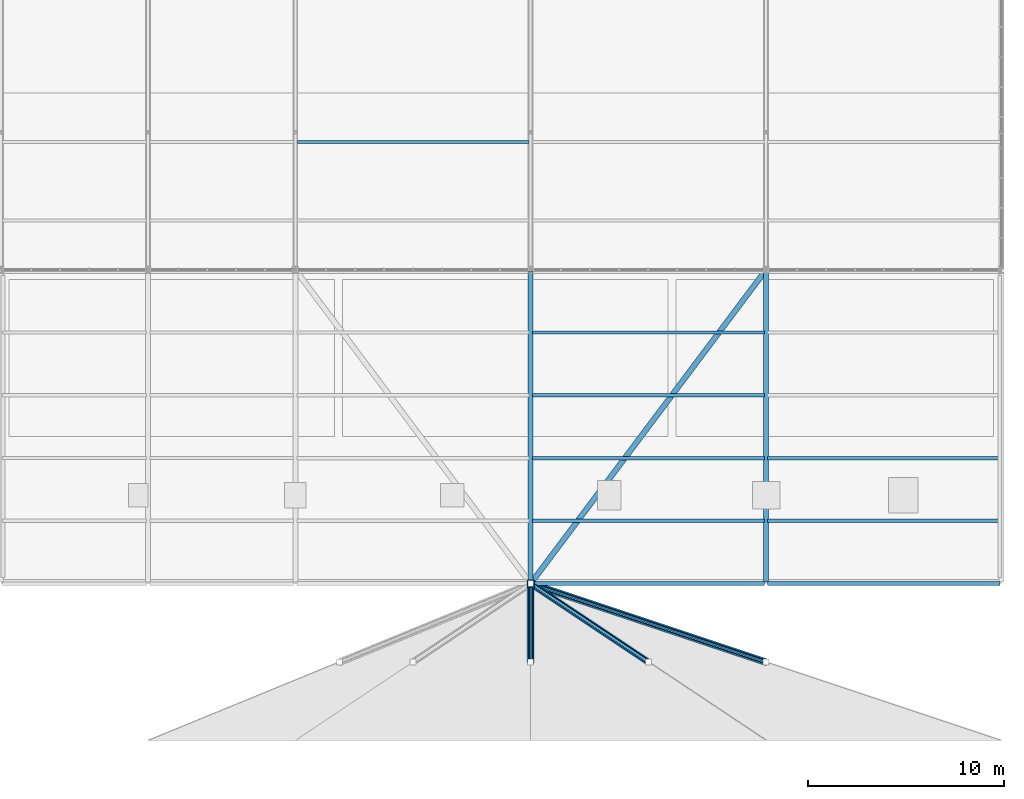
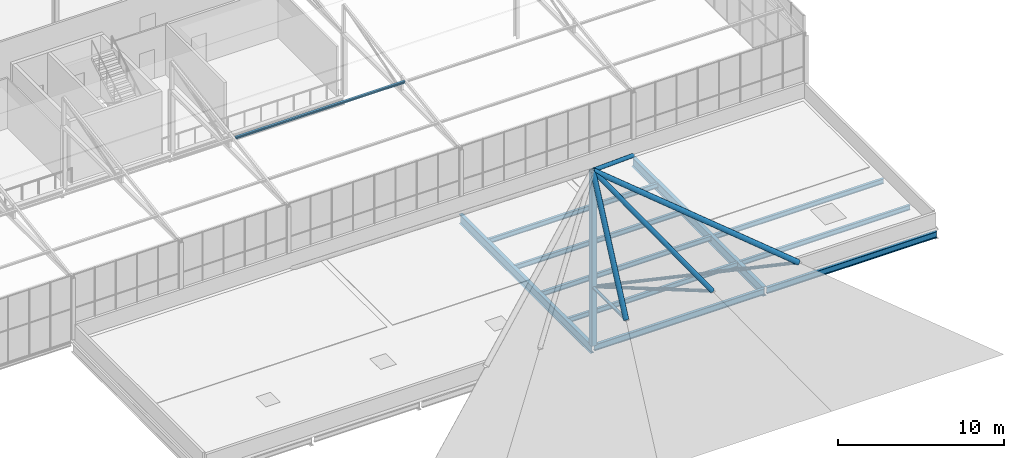
# One storey, part 53 of 104: 11 beams, 8 members.
"""IFC4 building model written with IfcOpenShell, lengths in metres."""

from ifc_helpers import new_model, si_unit, direction, frame, origin, origin_2d, place, context, subcontext, project, spatial, hollow_rectangle, hollow_circle, i_section, extrude, material, material_profile, profile_set, type_object, element, save


model = new_model("IFC4")

# Units and contexts
model_context = context("Model", 3, precision=1e-05, world=origin(), true_north=direction((0.0, 1.0)))
body_context = subcontext(model_context, "Body", "Model", "MODEL_VIEW")
ifc_project = project(units=[si_unit("LENGTHUNIT", "METRE"), si_unit("AREAUNIT", "SQUARE_METRE"), si_unit("VOLUMEUNIT", "CUBIC_METRE"), si_unit("PLANEANGLEUNIT", "RADIAN"), si_unit("MASSUNIT", "GRAM", prefix="KILO")], contexts=[model_context])

# Site, building, storey
site_placement = place(None, origin())
site = spatial("IfcSite", under=ifc_project, at=site_placement, CompositionType="ELEMENT")
building_placement = place(site_placement, origin())
building = spatial("IfcBuilding", under=site, at=building_placement, Name="Solvenia Promenade Tram Depot", CompositionType="ELEMENT")
storey_placement = place(building_placement, frame((0.0, 0.0, 9.0)))
storey = spatial("IfcBuildingStorey", under=building, at=storey_placement, Name="L02", CompositionType="ELEMENT", Elevation=9.0)

# Members
ifc_material_1 = material(Name="Structural steel ASTM A500 Gr. C", Category="steel")
ifc_material_profile_1 = material_profile(ifc_material_1, hollow_circle(Radius=0.109619140625, WallThickness=0.008056640625, at=origin_2d()), Name="CHS219.1x8", Category="steel")
ifc_profile_set_1 = profile_set([ifc_material_profile_1], Name="Structural steel ASTM A500 Gr. C")
member_type_1 = type_object("IfcMemberType", Name="Brace-CHS219x8", PredefinedType="BRACE", material=ifc_profile_set_1)
member_1_placement = place(storey_placement, frame((162.0, 4.0, 4.050048828125), z_axis=(0.0, 1.0, 0.0), x_axis=(-1.0, 0.0, 0.0)))
element("IfcMember", 1, at=member_1_placement, inside=storey, type_object=member_type_1, Name="Entrance Sail Mid Tie Strut 03", PredefinedType="BRACE", context=body_context, shape_type="SweptSolid", body=[
    extrude(hollow_circle(Radius=0.109619140625, WallThickness=0.008056640625, at=origin_2d()), origin(), (0.0, 0.0, 1.0), 4.0),
])
member_2_placement = place(storey_placement, frame((168.0, 4.0, 4.050048828125), z_axis=(-0.832050294338, 0.554700196225, 0.0), x_axis=(-0.554700196225, -0.832050294338, 0.0)))
element("IfcMember", 2, at=member_2_placement, inside=storey, type_object=member_type_1, Name="Entrance Sail Mid Tie Strut 04", PredefinedType="BRACE", context=body_context, shape_type="SweptSolid", body=[
    extrude(hollow_circle(Radius=0.109619140625, WallThickness=0.008056640625, at=origin_2d()), origin(), (0.0, 0.0, 1.0), 7.211181640625),
])
member_3_placement = place(storey_placement, frame((174.0, 4.0, 4.050048828125), z_axis=(-0.948683298051, 0.316227766017, 0.0), x_axis=(-0.316227766017, -0.948683298051, 0.0)))
element("IfcMember", 3, at=member_3_placement, inside=storey, type_object=member_type_1, Name="Entrance Sail Mid Tie Strut 05", PredefinedType="BRACE", context=body_context, shape_type="SweptSolid", body=[
    extrude(hollow_circle(Radius=0.109619140625, WallThickness=0.008056640625, at=origin_2d()), origin(), (0.0, 0.0, 1.0), 12.649169921875),
])
ifc_material_profile_2 = material_profile(ifc_material_1, hollow_circle(Radius=0.136474609375, WallThickness=0.010009765625, at=origin_2d()), Name="CHS273.0x10", Category="steel")
ifc_profile_set_2 = profile_set([ifc_material_profile_2], Name="Structural steel ASTM A500 Gr. C")
member_type_2 = type_object("IfcMemberType", Name="Brace-CHS273x10", PredefinedType="BRACE", material=ifc_profile_set_2)
member_4_placement = place(storey_placement, frame((174.0, 24.0, -0.219970703125), z_axis=(-0.505132583479, -0.673510111305, 0.539652854229), x_axis=(0.8, -0.6, 0.0)))
element("IfcMember", 4, at=member_4_placement, inside=storey, type_object=member_type_2, Name="Entrance Sail Rear Back-Stay 2", PredefinedType="BRACE", context=body_context, shape_type="SweptSolid", body=[
    extrude(hollow_circle(Radius=0.136474609375, WallThickness=0.010009765625, at=origin_2d()), origin(), (0.0, 0.0, 1.0), 23.756103515625),
])
ifc_material_profile_3 = material_profile(ifc_material_1, hollow_rectangle(XDim=0.35009765625, YDim=0.35009765625, WallThickness=0.01611328125, at=origin_2d()), Name="HSS350x350x16", Category="steel")
ifc_profile_set_3 = profile_set([ifc_material_profile_3], Name="Structural steel ASTM A500 Gr. C")
member_type_3 = type_object("IfcMemberType", Name="Chord-HSS350x350x16", PredefinedType="CHORD", material=ifc_profile_set_3)
member_5_placement = place(storey_placement, frame((162.0, 8.0, -0.219970703125), z_axis=(0.0, 0.0, 1.0), x_axis=(1.0, 0.0, 0.0)))
element("IfcMember", 5, at=member_5_placement, inside=storey, type_object=member_type_3, Name="Entrance Sail Apex Mast", PredefinedType="CHORD", context=body_context, shape_type="SweptSolid", body=[
    extrude(hollow_rectangle(XDim=0.35009765625, YDim=0.35009765625, WallThickness=0.01611328125, at=origin_2d()), origin(), (0.0, 0.0, 1.0), 12.820068359375),
])

# Beams
ifc_material_2 = material(Name="Structural steel ASTM A992 Gr. 50", Category="steel")
ifc_material_profile_4 = material_profile(ifc_material_2, i_section(OverallWidth=0.25390625, OverallDepth=0.68408203125, WebThickness=0.012451171875, FlangeThickness=0.018798828125, FilletRadius=0.01611328125, at=origin_2d()), Name="W690x140", Category="steel")
ifc_profile_set_4 = profile_set([ifc_material_profile_4], Name="Structural steel ASTM A992 Gr. 50")
beam_type_1 = type_object("IfcBeamType", Name="Gird-W690x140", PredefinedType="BEAM", material=ifc_profile_set_4)
for number, where, z_axis, x_axis, name in (
    (6, (162.0, 8.0849609375, -0.56201171875), (0.0, 1.0, 0.0), (-1.0, 0.0, 0.0), "Transverse Girder BM-L02-0800"),
    (7, (174.0, 8.0849609375, -0.56201171875), (0.0, 1.0, 0.0), (-1.0, 0.0, 0.0), "Transverse Girder BM-L02-0801"),
):
    element("IfcBeam", number, at=place(storey_placement, frame(where, z_axis=z_axis, x_axis=x_axis)), inside=storey, type_object=beam_type_1, Name=name, PredefinedType="BEAM", context=body_context, shape_type="SweptSolid", body=[
        extrude(i_section(OverallWidth=0.25390625, OverallDepth=0.68408203125, WebThickness=0.012451171875, FlangeThickness=0.018798828125, FilletRadius=0.01611328125, at=origin_2d()), origin(), (0.0, 0.0, 1.0), 15.830078125),
    ])
ifc_material_profile_5 = material_profile(ifc_material_2, i_section(OverallWidth=0.172119140625, OverallDepth=0.35791015625, WebThickness=0.0078125, FlangeThickness=0.01318359375, FilletRadius=0.010986328125, at=origin_2d()), Name="W360x57", Category="steel")
ifc_profile_set_5 = profile_set([ifc_material_profile_5], Name="Structural steel ASTM A992 Gr. 50")
beam_type_2 = type_object("IfcBeamType", Name="Joist-W360x57", PredefinedType="JOIST", material=ifc_profile_set_5)
for number, where, z_axis, x_axis, name in (
    (8, (162.0849609375, 11.199951171875, -0.39892578125), (1.0, 0.0, 0.0), (0.0, 1.0, 0.0), "Secondary Floor Joist BM-L02-0815"),
    (9, (162.0849609375, 14.39990234375, -0.39892578125), (1.0, 0.0, 0.0), (0.0, 1.0, 0.0), "Secondary Floor Joist BM-L02-0816"),
    (10, (162.0849609375, 17.60009765625, -0.39892578125), (1.0, 0.0, 0.0), (0.0, 1.0, 0.0), "Secondary Floor Joist BM-L02-0817"),
    (11, (162.0849609375, 20.800048828125, -0.39892578125), (1.0, 0.0, 0.0), (0.0, 1.0, 0.0), "Secondary Floor Joist BM-L02-0818"),
    (12, (174.0849609375, 11.199951171875, -0.39892578125), (1.0, 0.0, 0.0), (0.0, 1.0, 0.0), "Secondary Floor Joist BM-L02-0819"),
    (13, (174.0849609375, 14.39990234375, -0.39892578125), (1.0, 0.0, 0.0), (0.0, 1.0, 0.0), "Secondary Floor Joist BM-L02-0820"),
):
    element("IfcBeam", number, at=place(storey_placement, frame(where, z_axis=z_axis, x_axis=x_axis)), inside=storey, type_object=beam_type_2, Name=name, PredefinedType="JOIST", context=body_context, shape_type="SweptSolid", body=[
        extrude(i_section(OverallWidth=0.172119140625, OverallDepth=0.35791015625, WebThickness=0.0078125, FlangeThickness=0.01318359375, FilletRadius=0.010986328125, at=origin_2d()), origin(), (0.0, 0.0, 1.0), 11.830078125),
    ])
ifc_material_profile_6 = material_profile(ifc_material_2, i_section(OverallWidth=0.152099609375, OverallDepth=0.152099609375, WebThickness=0.005859375, FlangeThickness=0.006591796875, FilletRadius=0.008056640625, at=origin_2d()), Name="W150x22", Category="steel")
ifc_profile_set_6 = profile_set([ifc_material_profile_6], Name="Structural steel ASTM A992 Gr. 50")
beam_type_3 = type_object("IfcBeamType", Name="Purlin-W150x22", PredefinedType="USERDEFINED", material=ifc_profile_set_6)
beam_placement = place(storey_placement, frame((150.0849609375, 30.5, 5.52001953125), z_axis=(1.0, 0.0, 0.0), x_axis=(0.0, 1.0, 0.0)))
element("IfcBeam", 14, at=beam_placement, inside=storey, type_object=beam_type_3, Name="Clerestory Purlin 0214", ObjectType="PURLIN", PredefinedType="USERDEFINED", context=body_context, shape_type="SweptSolid", body=[
    extrude(i_section(OverallWidth=0.152099609375, OverallDepth=0.152099609375, WebThickness=0.005859375, FlangeThickness=0.006591796875, FilletRadius=0.008056640625, at=origin_2d()), origin(), (0.0, 0.0, 1.0), 11.830078125),
])

# Members
ifc_material_profile_7 = material_profile(ifc_material_1, hollow_circle(Radius=0.161865234375, WallThickness=0.010009765625, at=origin_2d()), Name="CHS323.9x10", Category="steel")
ifc_profile_set_7 = profile_set([ifc_material_profile_7], Name="Structural steel ASTM A500 Gr. C")
member_type_4 = type_object("IfcMemberType", Name="SailRib-CHS324x10", PredefinedType="RAFTER", material=ifc_profile_set_7)
member_6_placement = place(storey_placement, frame((168.0, 4.0, 4.050048828125), z_axis=(-0.536434630594, 0.357623087063, 0.764423714113), x_axis=(-0.554700196225, -0.832050294338, 0.0)))
element("IfcMember", 15, at=member_6_placement, inside=storey, type_object=member_type_4, Name="Entrance Sail Upper Rib 04", PredefinedType="RAFTER", context=body_context, shape_type="SweptSolid", body=[
    extrude(hollow_circle(Radius=0.161865234375, WallThickness=0.010009765625, at=origin_2d()), origin(), (0.0, 0.0, 1.0), 11.18505859375),
])
ifc_material_profile_8 = material_profile(ifc_material_1, hollow_circle(Radius=0.177734375, WallThickness=0.012451171875, at=origin_2d()), Name="CHS355.6x12.5", Category="steel")
ifc_profile_set_8 = profile_set([ifc_material_profile_8], Name="Structural steel ASTM A500 Gr. C")
member_type_5 = type_object("IfcMemberType", Name="SailRib-CHS355x12", PredefinedType="RAFTER", material=ifc_profile_set_8)
member_7_placement = place(storey_placement, frame((162.0, 4.0, 4.050048828125), z_axis=(0.0, 0.423753220427, 0.905777681431), x_axis=(-1.0, 0.0, 0.0)))
element("IfcMember", 16, at=member_7_placement, inside=storey, type_object=member_type_5, Name="Entrance Sail Upper Rib 03", PredefinedType="RAFTER", context=body_context, shape_type="SweptSolid", body=[
    extrude(hollow_circle(Radius=0.177734375, WallThickness=0.012451171875, at=origin_2d()), origin(), (0.0, 0.0, 1.0), 9.439453125),
])
member_8_placement = place(storey_placement, frame((174.0, 4.0, 4.050048828125), z_axis=(-0.785971869459, 0.261990623153, 0.560008155118), x_axis=(-0.316227766017, -0.948683298051, 0.0)))
element("IfcMember", 17, at=member_8_placement, inside=storey, type_object=member_type_5, Name="Entrance Sail Upper Rib 05", PredefinedType="RAFTER", context=body_context, shape_type="SweptSolid", body=[
    extrude(hollow_circle(Radius=0.177734375, WallThickness=0.012451171875, at=origin_2d()), origin(), (0.0, 0.0, 1.0), 15.267822265625),
])

# Beams
ifc_material_profile_9 = material_profile(ifc_material_2, i_section(OverallWidth=0.19091796875, OverallDepth=0.4599609375, WebThickness=0.010009765625, FlangeThickness=0.01611328125, FilletRadius=0.012939453125, at=origin_2d()), Name="W460x82", Category="steel")
ifc_profile_set_9 = profile_set([ifc_material_profile_9], Name="Structural steel ASTM A992 Gr. 50")
beam_type_4 = type_object("IfcBeamType", Name="Spandrel-W460x82", PredefinedType="SPANDREL", material=ifc_profile_set_9)
for number, where, z_axis, x_axis, name in (
    (18, (162.0849609375, 8.0, -0.449951171875), (1.0, 0.0, 0.0), (0.0, 1.0, 0.0), "Perimeter Spandrel BM-L02-0790"),
    (19, (174.0849609375, 8.0, -0.449951171875), (1.0, 0.0, 0.0), (0.0, 1.0, 0.0), "Perimeter Spandrel BM-L02-0791"),
):
    element("IfcBeam", number, at=place(storey_placement, frame(where, z_axis=z_axis, x_axis=x_axis)), inside=storey, type_object=beam_type_4, Name=name, PredefinedType="SPANDREL", context=body_context, shape_type="SweptSolid", body=[
        extrude(i_section(OverallWidth=0.19091796875, OverallDepth=0.4599609375, WebThickness=0.010009765625, FlangeThickness=0.01611328125, FilletRadius=0.012939453125, at=origin_2d()), origin(), (0.0, 0.0, 1.0), 11.830078125),
    ])

save(model, "model.ifc")
